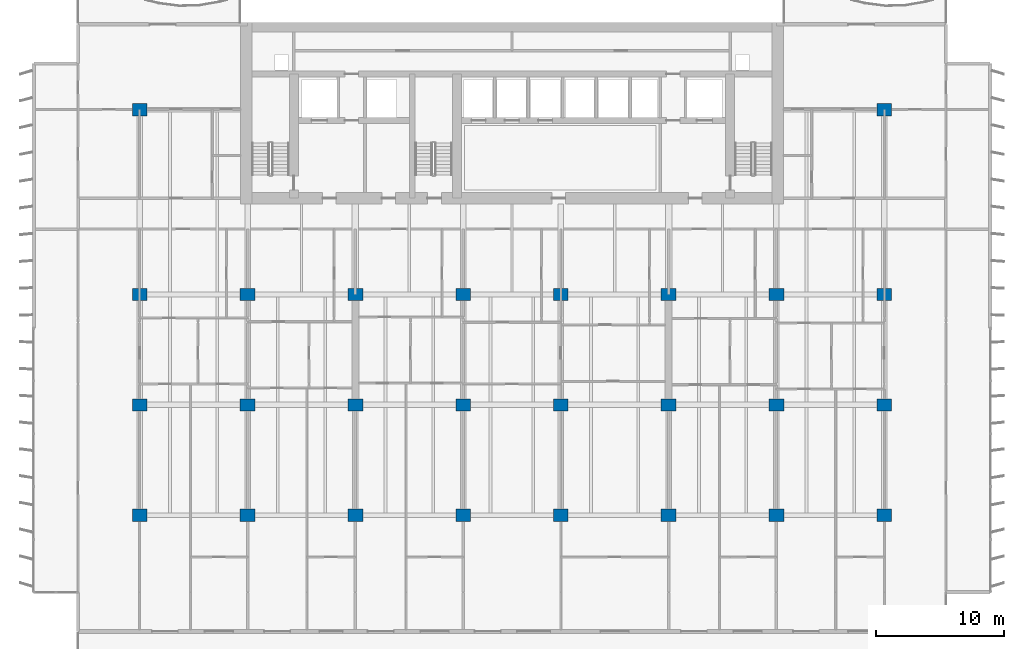
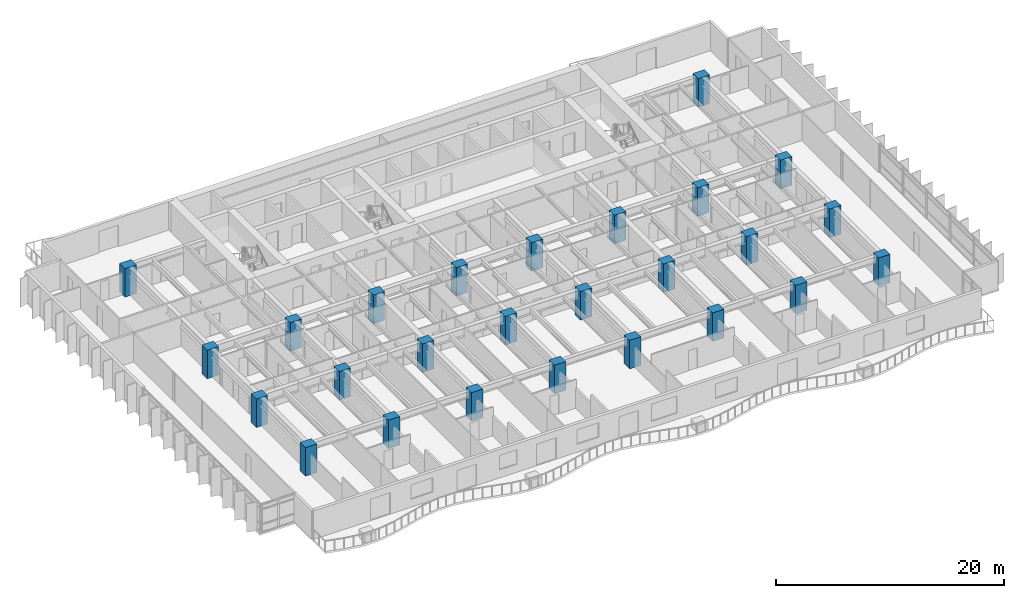
# One storey, part 1 of 17: 26 columns.
"""IFC4 building model written with IfcOpenShell, lengths in metres."""

from ifc_helpers import new_model, si_unit, direction, frame, origin, origin_2d, place, context, subcontext, project, spatial, rectangle, extrude, material, material_profile, profile_set, type_object, element, save


model = new_model("IFC4")

# Units and contexts
model_context = context("Model", 3, precision=1e-05, world=origin(), true_north=direction((0.0, 1.0)))
body_context = subcontext(model_context, "Body", "Model", "MODEL_VIEW")
ifc_project = project(units=[si_unit("LENGTHUNIT", "METRE"), si_unit("AREAUNIT", "SQUARE_METRE"), si_unit("VOLUMEUNIT", "CUBIC_METRE"), si_unit("PLANEANGLEUNIT", "RADIAN"), si_unit("MASSUNIT", "GRAM", prefix="KILO")], contexts=[model_context])

# Site, building, storey
site_placement = place(None, origin())
site = spatial("IfcSite", under=ifc_project, at=site_placement, CompositionType="ELEMENT")
building_placement = place(site_placement, origin())
building = spatial("IfcBuilding", under=site, at=building_placement, Name="Caelmar Bay Residences", CompositionType="ELEMENT")
storey_placement = place(building_placement, frame((0.0, 0.0, 30.0)))
storey = spatial("IfcBuildingStorey", under=building, at=storey_placement, Name="L06", CompositionType="ELEMENT", Elevation=30.0)

# Columns
ifc_material = material(Name="Concrete f'c 70 MPa (10,000 psi)", Category="concrete")
ifc_material_profile = material_profile(ifc_material, rectangle(XDim=1.14990234375, YDim=0.949951171875, at=origin_2d()), Name="RC-COL-1150X950")
ifc_profile_set = profile_set([ifc_material_profile], Name="Concrete f'c 70 MPa (10,000 psi)")
column_type = type_object("IfcColumnType", Name="COL-RC-1150X950", PredefinedType="COLUMN", material=ifc_profile_set)
for number, where, z_axis, x_axis, name in (
    (1, (9.89990234375, 12.199951171875, 0.0), (0.0, 0.0, 1.0), (1.0, 0.0, 0.0), "L06 Column (9.90,12.20)"),
    (2, (18.300048828125, 12.199951171875, 0.0), (0.0, 0.0, 1.0), (1.0, 0.0, 0.0), "L06 Column (18.30,12.20)"),
    (3, (26.699951171875, 12.199951171875, 0.0), (0.0, 0.0, 1.0), (1.0, 0.0, 0.0), "L06 Column (26.70,12.20)"),
    (4, (35.10009765625, 12.199951171875, 0.0), (0.0, 0.0, 1.0), (1.0, 0.0, 0.0), "L06 Column (35.10,12.20)"),
    (5, (42.699951171875, 12.199951171875, 0.0), (0.0, 0.0, 1.0), (1.0, 0.0, 0.0), "L06 Column (42.70,12.20)"),
    (6, (51.10009765625, 12.199951171875, 0.0), (0.0, 0.0, 1.0), (1.0, 0.0, 0.0), "L06 Column (51.10,12.20)"),
    (7, (59.5, 12.199951171875, 0.0), (0.0, 0.0, 1.0), (1.0, 0.0, 0.0), "L06 Column (59.50,12.20)"),
    (8, (67.89990234375, 12.199951171875, 0.0), (0.0, 0.0, 1.0), (1.0, 0.0, 0.0), "L06 Column (67.90,12.20)"),
    (9, (9.89990234375, 20.800048828125, 0.0), (0.0, 0.0, 1.0), (1.0, 0.0, 0.0), "L06 Column (9.90,20.80)"),
    (10, (18.300048828125, 20.800048828125, 0.0), (0.0, 0.0, 1.0), (1.0, 0.0, 0.0), "L06 Column (18.30,20.80)"),
    (11, (26.699951171875, 20.800048828125, 0.0), (0.0, 0.0, 1.0), (1.0, 0.0, 0.0), "L06 Column (26.70,20.80)"),
    (12, (35.10009765625, 20.800048828125, 0.0), (0.0, 0.0, 1.0), (1.0, 0.0, 0.0), "L06 Column (35.10,20.80)"),
    (13, (42.699951171875, 20.800048828125, 0.0), (0.0, 0.0, 1.0), (1.0, 0.0, 0.0), "L06 Column (42.70,20.80)"),
    (14, (51.10009765625, 20.800048828125, 0.0), (0.0, 0.0, 1.0), (1.0, 0.0, 0.0), "L06 Column (51.10,20.80)"),
    (15, (59.5, 20.800048828125, 0.0), (0.0, 0.0, 1.0), (1.0, 0.0, 0.0), "L06 Column (59.50,20.80)"),
    (16, (67.89990234375, 20.800048828125, 0.0), (0.0, 0.0, 1.0), (1.0, 0.0, 0.0), "L06 Column (67.90,20.80)"),
    (17, (9.89990234375, 29.39990234375, 0.0), (0.0, 0.0, 1.0), (1.0, 0.0, 0.0), "L06 Column (9.90,29.40)"),
    (18, (18.300048828125, 29.39990234375, 0.0), (0.0, 0.0, 1.0), (1.0, 0.0, 0.0), "L06 Column (18.30,29.40)"),
    (19, (26.699951171875, 29.39990234375, 0.0), (0.0, 0.0, 1.0), (1.0, 0.0, 0.0), "L06 Column (26.70,29.40)"),
    (20, (35.10009765625, 29.39990234375, 0.0), (0.0, 0.0, 1.0), (1.0, 0.0, 0.0), "L06 Column (35.10,29.40)"),
    (21, (42.699951171875, 29.39990234375, 0.0), (0.0, 0.0, 1.0), (1.0, 0.0, 0.0), "L06 Column (42.70,29.40)"),
    (22, (51.10009765625, 29.39990234375, 0.0), (0.0, 0.0, 1.0), (1.0, 0.0, 0.0), "L06 Column (51.10,29.40)"),
    (23, (59.5, 29.39990234375, 0.0), (0.0, 0.0, 1.0), (1.0, 0.0, 0.0), "L06 Column (59.50,29.40)"),
    (24, (67.89990234375, 29.39990234375, 0.0), (0.0, 0.0, 1.0), (1.0, 0.0, 0.0), "L06 Column (67.90,29.40)"),
    (25, (9.89990234375, 43.800048828125, 0.0), (0.0, 0.0, 1.0), (1.0, 0.0, 0.0), "L06 Column (9.90,43.80)"),
    (26, (67.89990234375, 43.800048828125, 0.0), (0.0, 0.0, 1.0), (1.0, 0.0, 0.0), "L06 Column (67.90,43.80)"),
):
    element("IfcColumn", number, at=place(storey_placement, frame(where, z_axis=z_axis, x_axis=x_axis)), inside=storey, type_object=column_type, Name=name, PredefinedType="COLUMN", context=body_context, shape_type="SweptSolid", body=[
        extrude(rectangle(XDim=1.14990234375, YDim=0.949951171875, at=origin_2d()), origin(), (0.0, 0.0, 1.0), 3.050048828125),
    ])

save(model, "model.ifc")
